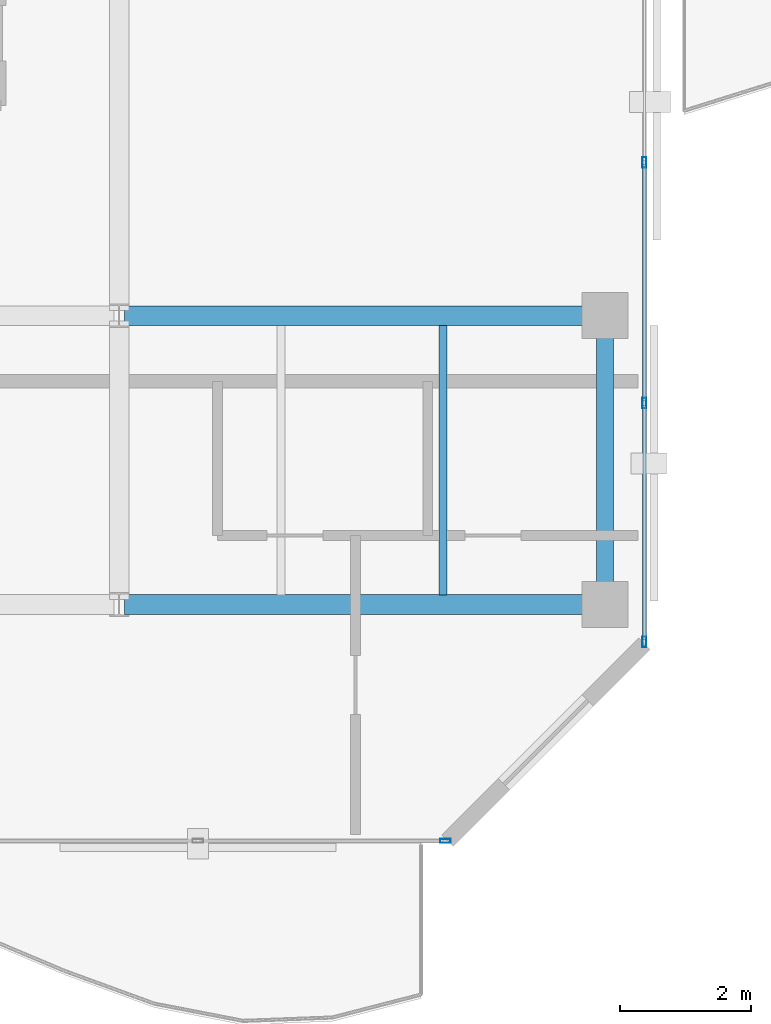
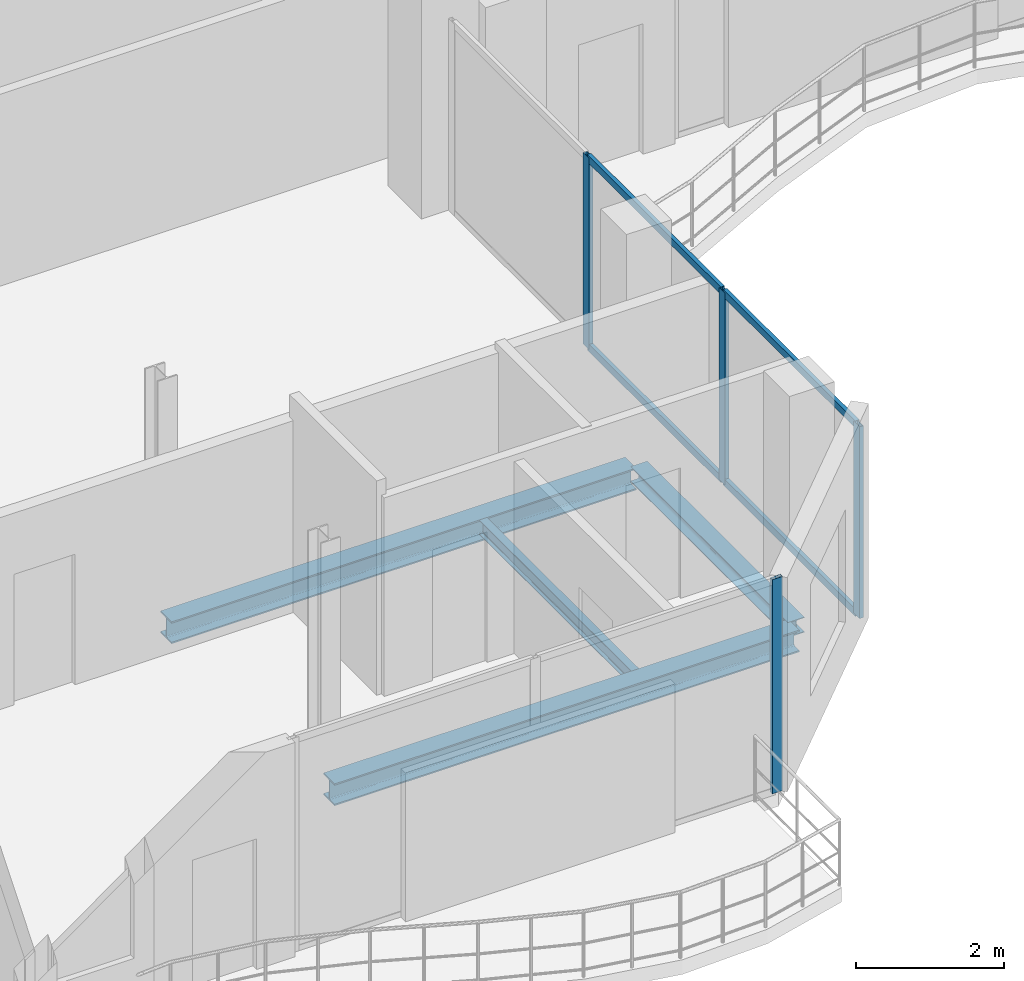
# One storey, part 7 of 23: 8 members, 4 beams, 2 elements without a shape of their own.
"""IFC4 building model written with IfcOpenShell, lengths in metres."""

from ifc_helpers import new_model, si_unit, direction, frame, origin, origin_2d, place, context, subcontext, project, spatial, hollow_rectangle, i_section, extrude, material, layer, layer_set, material_profile, profile_set, type_object, element, aggregate, save


model = new_model("IFC4")

# Units and contexts
model_context = context("Model", 3, precision=1e-05, world=origin(), true_north=direction((0.0, 1.0)))
body_context = subcontext(model_context, "Body", "Model", "MODEL_VIEW")
ifc_project = project(units=[si_unit("LENGTHUNIT", "METRE"), si_unit("AREAUNIT", "SQUARE_METRE"), si_unit("VOLUMEUNIT", "CUBIC_METRE"), si_unit("PLANEANGLEUNIT", "RADIAN"), si_unit("MASSUNIT", "GRAM", prefix="KILO")], contexts=[model_context])

# Site, building, storey
site_placement = place(None, origin())
site = spatial("IfcSite", under=ifc_project, at=site_placement, CompositionType="ELEMENT")
building_placement = place(site_placement, origin())
building = spatial("IfcBuilding", under=site, at=building_placement, Name="Catumbela Crestline Tower", CompositionType="ELEMENT")
storey_placement = place(building_placement, frame((0.0, 0.0, 248.8)))
storey = spatial("IfcBuildingStorey", under=building, at=storey_placement, Name="L64", CompositionType="ELEMENT", Elevation=248.8)

# Beams
ifc_material_1 = material(Name="Structural steel S355J2", Category="steel")
ifc_material_profile_1 = material_profile(ifc_material_1, i_section(OverallWidth=0.3, OverallDepth=0.36, WebThickness=0.0125, FlangeThickness=0.0225, FilletRadius=0.027, at=origin_2d()), Name="HEB 360")
ifc_profile_set_1 = profile_set([ifc_material_profile_1], Name="Structural steel S355J2")
beam_type_1 = type_object("IfcBeamType", Name="BG-HEB360", PredefinedType="BEAM", material=ifc_profile_set_1)
for number, where, z_axis, x_axis, name in (
    (1, (16.08, 13.6, -0.44), (1.0, 0.0, 0.0), (0.0, 1.0, 0.0), "L64 Beam BM-L64-WEW28"),
    (2, (16.08, 18.0, -0.44), (1.0, 0.0, 0.0), (0.0, 1.0, 0.0), "L64 Beam BM-L64-WEW30"),
):
    element("IfcBeam", number, at=place(storey_placement, frame(where, z_axis=z_axis, x_axis=x_axis)), inside=storey, type_object=beam_type_1, Name=name, PredefinedType="BEAM", context=body_context, shape_type="SweptSolid", body=[
        extrude(i_section(OverallWidth=0.3, OverallDepth=0.36, WebThickness=0.0125, FlangeThickness=0.0225, FilletRadius=0.027, at=origin_2d()), origin(), (0.0, 0.0, 1.0), 7.24),
    ])
ifc_material_profile_2 = material_profile(ifc_material_1, i_section(OverallWidth=0.12, OverallDepth=0.24, WebThickness=0.0062, FlangeThickness=0.0098, FilletRadius=0.015, at=origin_2d()), Name="IPE 240")
ifc_profile_set_2 = profile_set([ifc_material_profile_2], Name="Structural steel S355J2")
beam_type_2 = type_object("IfcBeamType", Name="BJ-IPE240", PredefinedType="JOIST", material=ifc_profile_set_2)
beam_1_placement = place(storey_placement, frame((20.933, 13.747, -0.38), z_axis=(0.0, 1.0, 0.0), x_axis=(-1.0, 0.0, 0.0)))
element("IfcBeam", 3, at=beam_1_placement, inside=storey, type_object=beam_type_2, Name="L64 Joist JS-L64-WG39", PredefinedType="JOIST", context=body_context, shape_type="SweptSolid", body=[
    extrude(i_section(OverallWidth=0.12, OverallDepth=0.24, WebThickness=0.0062, FlangeThickness=0.0098, FilletRadius=0.015, at=origin_2d()), origin(), (0.0, 0.0, 1.0), 4.106),
])

# Curtain wall, member
ifc_material_2 = material(Name="Aluminium alloy AW-6060-T66", Category="aluminium")
ifc_layer = layer(ifc_material_2, 0.18, Name="Aluminium alloy AW-6060-T66")
ifc_layer_set = layer_set([ifc_layer], Name="Aluminium alloy AW-6060-T66")
curtain_wall_type = type_object("IfcCurtainWallType", Name="CWU-Z4", PredefinedType="USERDEFINED", material=ifc_layer_set)
curtain_wall_1_placement = place(storey_placement, origin())
curtain_wall_1 = element("IfcCurtainWall", 4, at=curtain_wall_1_placement, inside=storey, type_object=curtain_wall_type, Name="L64 Unitised Curtain Wall CW-L64-E0S2", ObjectType="UNITISED", PredefinedType="USERDEFINED")
ifc_material_profile_3 = material_profile(ifc_material_2, hollow_rectangle(XDim=0.06, YDim=0.16, WallThickness=0.004, at=origin_2d()), Name="ALU 160x60x4")
ifc_profile_set_3 = profile_set([ifc_material_profile_3], Name="Aluminium alloy AW-6060-T66")
member_type_1 = type_object("IfcMemberType", Name="MUL-160X60", PredefinedType="MULLION", material=ifc_profile_set_3)
member_1_placement = place(storey_placement, frame((20.9675, 10.0, 0.0), z_axis=(0.0, 0.0, 1.0), x_axis=(0.0, 1.0, 0.0)))
member_1 = element("IfcMember", 5, at=member_1_placement, type_object=member_type_1, Name="CWU-Z4 mullion 3", PredefinedType="MULLION", context=body_context, shape_type="SweptSolid", body=[
    extrude(hollow_rectangle(XDim=0.06, YDim=0.16, WallThickness=0.004, at=origin_2d()), origin(), (0.0, 0.0, 1.0), 3.53),
])
aggregate(curtain_wall_1, [member_1])

# Curtain wall, members
curtain_wall_2_placement = place(storey_placement, origin())
curtain_wall_2 = element("IfcCurtainWall", 6, at=curtain_wall_2_placement, inside=storey, type_object=curtain_wall_type, Name="L64 Unitised Curtain Wall CW-L64-E2S1", ObjectType="UNITISED", PredefinedType="USERDEFINED")
member_2_placement = place(storey_placement, frame((24.0, 13.0325, 0.0), z_axis=(0.0, 0.0, 1.0), x_axis=(-1.0, 0.0, 0.0)))
member_2 = element("IfcMember", 7, at=member_2_placement, type_object=member_type_1, Name="CWU-Z4 mullion 1", PredefinedType="MULLION", context=body_context, shape_type="SweptSolid", body=[
    extrude(hollow_rectangle(XDim=0.06, YDim=0.16, WallThickness=0.004, at=origin_2d()), origin(), (0.0, 0.0, 1.0), 3.16),
])
member_3_placement = place(storey_placement, frame((24.0, 16.6667, 0.0), z_axis=(0.0, 0.0, 1.0), x_axis=(-1.0, 0.0, 0.0)))
member_3 = element("IfcMember", 8, at=member_3_placement, type_object=member_type_1, Name="CWU-Z4 mullion 2", PredefinedType="MULLION", context=body_context, shape_type="SweptSolid", body=[
    extrude(hollow_rectangle(XDim=0.06, YDim=0.16, WallThickness=0.004, at=origin_2d()), origin(), (0.0, 0.0, 1.0), 3.16),
])
member_4_placement = place(storey_placement, frame((24.0, 20.3333, 0.0), z_axis=(0.0, 0.0, 1.0), x_axis=(-1.0, 0.0, 0.0)))
member_4 = element("IfcMember", 9, at=member_4_placement, type_object=member_type_1, Name="CWU-Z4 mullion 3", PredefinedType="MULLION", context=body_context, shape_type="SweptSolid", body=[
    extrude(hollow_rectangle(XDim=0.06, YDim=0.16, WallThickness=0.004, at=origin_2d()), origin(), (0.0, 0.0, 1.0), 3.16),
])

# Beam
ifc_material_profile_4 = material_profile(ifc_material_1, i_section(OverallWidth=0.26, OverallDepth=0.25, WebThickness=0.0075, FlangeThickness=0.0125, FilletRadius=0.024, at=origin_2d()), Name="HEA 260")
ifc_profile_set_4 = profile_set([ifc_material_profile_4], Name="Structural steel S355J2")
beam_type_3 = type_object("IfcBeamType", Name="BS-HEA260", PredefinedType="SPANDREL", material=ifc_profile_set_4)
beam_2_placement = place(storey_placement, frame((23.4, 13.68, -0.385), z_axis=(0.0, 1.0, 0.0), x_axis=(-1.0, 0.0, 0.0)))
element("IfcBeam", 10, at=beam_2_placement, inside=storey, type_object=beam_type_3, Name="L64 Spandrel SP-L64-WNS35", PredefinedType="SPANDREL", context=body_context, shape_type="SweptSolid", body=[
    extrude(i_section(OverallWidth=0.26, OverallDepth=0.25, WebThickness=0.0075, FlangeThickness=0.0125, FilletRadius=0.024, at=origin_2d()), origin(), (0.0, 0.0, 1.0), 4.24),
])

# Member
ifc_material_profile_5 = material_profile(ifc_material_2, hollow_rectangle(XDim=0.06, YDim=0.12, WallThickness=0.0035, at=origin_2d()), Name="ALU 120x60x3.5")
ifc_profile_set_5 = profile_set([ifc_material_profile_5], Name="Aluminium alloy AW-6060-T66")
member_type_2 = type_object("IfcMemberType", Name="TRN-120X60", PredefinedType="USERDEFINED", material=ifc_profile_set_5)
member_5_placement = place(storey_placement, frame((24.0, 13.065, 0.03), z_axis=(0.0, 1.0, 0.0), x_axis=(-1.0, 0.0, 0.0)))
member_5 = element("IfcMember", 11, at=member_5_placement, type_object=member_type_2, Name="CWU-Z4 transom 1.1", ObjectType="TRANSOM", PredefinedType="USERDEFINED", context=body_context, shape_type="SweptSolid", body=[
    extrude(hollow_rectangle(XDim=0.06, YDim=0.12, WallThickness=0.0035, at=origin_2d()), origin(), (0.0, 0.0, 1.0), 3.5692),
])

member_6_placement = place(storey_placement, frame((24.0, 13.065, 3.13), z_axis=(0.0, 1.0, 0.0), x_axis=(-1.0, 0.0, 0.0)))
member_6 = element("IfcMember", 12, at=member_6_placement, type_object=member_type_2, Name="CWU-Z4 transom 1.2", ObjectType="TRANSOM", PredefinedType="USERDEFINED", context=body_context, shape_type="SweptSolid", body=[
    extrude(hollow_rectangle(XDim=0.06, YDim=0.12, WallThickness=0.0035, at=origin_2d()), origin(), (0.0, 0.0, 1.0), 3.5692),
])

member_7_placement = place(storey_placement, frame((24.0, 16.6992, 0.03), z_axis=(0.0, 1.0, 0.0), x_axis=(-1.0, 0.0, 0.0)))
member_7 = element("IfcMember", 13, at=member_7_placement, type_object=member_type_2, Name="CWU-Z4 transom 2.1", ObjectType="TRANSOM", PredefinedType="USERDEFINED", context=body_context, shape_type="SweptSolid", body=[
    extrude(hollow_rectangle(XDim=0.06, YDim=0.12, WallThickness=0.0035, at=origin_2d()), origin(), (0.0, 0.0, 1.0), 3.6016),
])

member_8_placement = place(storey_placement, frame((24.0, 16.6992, 3.13), z_axis=(0.0, 1.0, 0.0), x_axis=(-1.0, 0.0, 0.0)))
member_8 = element("IfcMember", 14, at=member_8_placement, type_object=member_type_2, Name="CWU-Z4 transom 2.2", ObjectType="TRANSOM", PredefinedType="USERDEFINED", context=body_context, shape_type="SweptSolid", body=[
    extrude(hollow_rectangle(XDim=0.06, YDim=0.12, WallThickness=0.0035, at=origin_2d()), origin(), (0.0, 0.0, 1.0), 3.6016),
])

aggregate(curtain_wall_2, [member_2, member_3, member_4, member_5, member_6, member_7, member_8])

save(model, "model.ifc")
